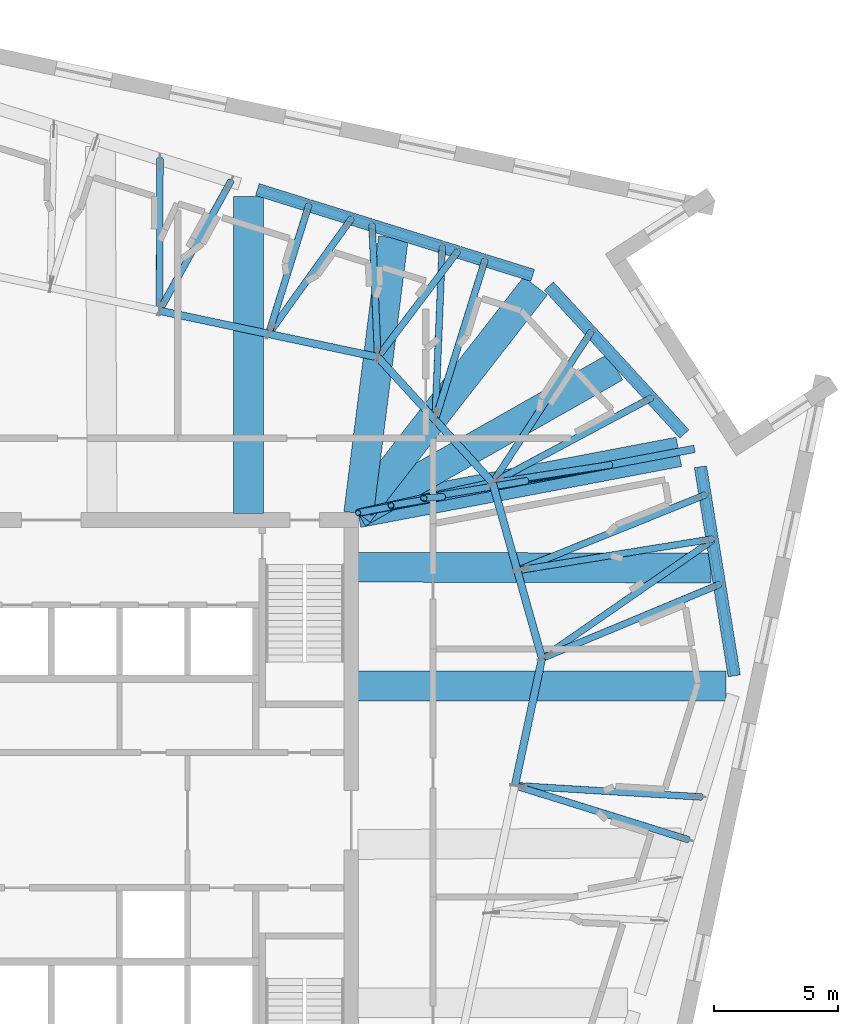
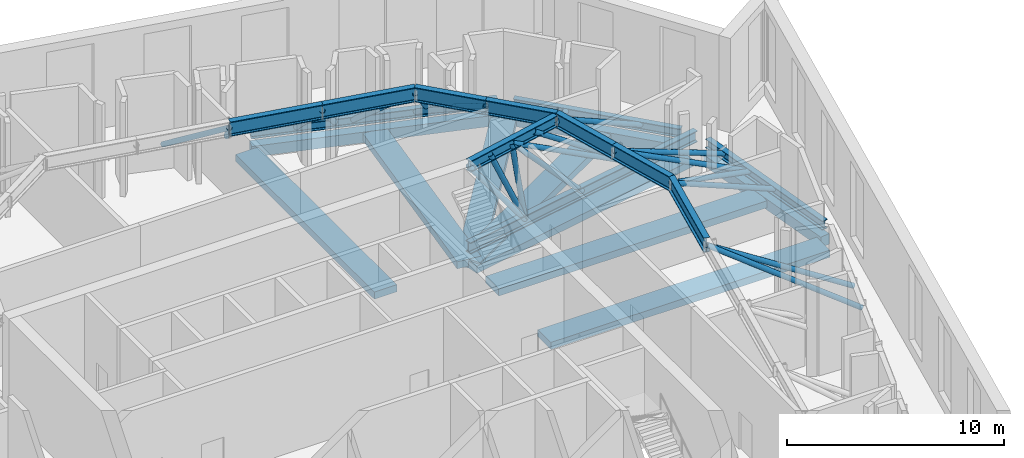
# One storey, part 4 of 19: 23 members, 22 beams.
"""IFC4 building model written with IfcOpenShell, lengths in metres."""

from ifc_helpers import new_model, si_unit, direction, frame, origin, origin_2d, place, context, subcontext, project, spatial, rectangle, hollow_circle, i_section, extrude, material, material_profile, profile_set, type_object, element, save


model = new_model("IFC4")

# Units and contexts
model_context = context("Model", 3, precision=1e-05, world=origin(), true_north=direction((0.0, 1.0)))
body_context = subcontext(model_context, "Body", "Model", "MODEL_VIEW")
ifc_project = project(units=[si_unit("LENGTHUNIT", "METRE"), si_unit("AREAUNIT", "SQUARE_METRE"), si_unit("VOLUMEUNIT", "CUBIC_METRE"), si_unit("PLANEANGLEUNIT", "RADIAN"), si_unit("MASSUNIT", "GRAM", prefix="KILO")], contexts=[model_context])

# Site, building, storey
site_placement = place(None, origin())
site = spatial("IfcSite", under=ifc_project, at=site_placement, CompositionType="ELEMENT")
building_placement = place(site_placement, origin())
building = spatial("IfcBuilding", under=site, at=building_placement, Name="Dilmun Exchange Tower", CompositionType="ELEMENT")
storey_placement = place(building_placement, frame((0.0, 0.0, 344.5)))
storey = spatial("IfcBuildingStorey", under=building, at=storey_placement, Name="L82", CompositionType="ELEMENT", Elevation=344.5)

# Beams
ifc_material_1 = material(Name="Concrete C40/50", Category="concrete")
ifc_material_profile_1 = material_profile(ifc_material_1, rectangle(XDim=1.199951171875, YDim=0.39990234375, at=origin_2d()), Name="1200 x 400")
ifc_profile_set_1 = profile_set([ifc_material_profile_1], Name="Concrete C40/50")
beam_type_1 = type_object("IfcBeamType", Name="RC band beam 1200 x 400 C40/50", PredefinedType="BEAM", material=ifc_profile_set_1)
beam_1_placement = place(storey_placement, frame((27.216064453125, 5.406005859375, -0.64990234375), z_axis=(-1.0, 0.0, 0.0), x_axis=(0.0, -1.0, 0.0)))
element("IfcBeam", 1, at=beam_1_placement, inside=storey, type_object=beam_type_1, Name="Band beam 12", PredefinedType="BEAM", context=body_context, shape_type="SweptSolid", body=[
    extrude(rectangle(XDim=1.199951171875, YDim=0.39990234375, at=origin_2d()), origin(), (0.0, 0.0, 1.0), 14.843017578125),
])
beam_2_placement = place(storey_placement, frame((25.30712890625, 14.85205078125, -0.64990234375), z_axis=(-0.982429348436, -0.18663487169, 0.0), x_axis=(0.18663487169, -0.982429348436, 0.0)))
element("IfcBeam", 2, at=beam_2_placement, inside=storey, type_object=beam_type_1, Name="Band beam 13", PredefinedType="BEAM", context=body_context, shape_type="SweptSolid", body=[
    extrude(rectangle(XDim=1.199951171875, YDim=0.39990234375, at=origin_2d()), origin(), (0.0, 0.0, 1.0), 13.164794921875),
])
beam_3_placement = place(storey_placement, frame((19.52685546875, 21.541259765625, -0.64990234375), z_axis=(-0.614856714099, -0.788638840743, 0.0), x_axis=(0.788638840743, -0.614856714099, 0.0)))
element("IfcBeam", 3, at=beam_3_placement, inside=storey, type_object=beam_type_1, Name="Band beam 14", PredefinedType="BEAM", context=body_context, shape_type="SweptSolid", body=[
    extrude(rectangle(XDim=1.199951171875, YDim=0.39990234375, at=origin_2d()), origin(), (0.0, 0.0, 1.0), 11.6181640625),
])
beam_4_placement = place(storey_placement, frame((7.9580078125, 25.14697265625, -0.64990234375), z_axis=(0.0, -1.0, 0.0), x_axis=(1.0, 0.0, 0.0)))
element("IfcBeam", 4, at=beam_4_placement, inside=storey, type_object=beam_type_1, Name="Band beam 15", PredefinedType="BEAM", context=body_context, shape_type="SweptSolid", body=[
    extrude(rectangle(XDim=1.199951171875, YDim=0.39990234375, at=origin_2d()), origin(), (0.0, 0.0, 1.0), 12.77392578125),
])
beam_5_placement = place(storey_placement, frame((26.614013671875, 10.1650390625, -0.550048828125), z_axis=(-0.999996910379, 0.002485806038, 0.0), x_axis=(-0.002485806038, -0.999996910379, 0.0)))
element("IfcBeam", 5, at=beam_5_placement, inside=storey, type_object=beam_type_1, Name="Band beam 28", PredefinedType="BEAM", context=body_context, shape_type="SweptSolid", body=[
    extrude(rectangle(XDim=1.199951171875, YDim=0.39990234375, at=origin_2d()), origin(), (0.0, 0.0, 1.0), 14.240966796875),
])
beam_6_placement = place(storey_placement, frame((22.752197265625, 18.275390625, -0.550048828125), z_axis=(-0.869690188955, -0.493597989496, 0.0), x_axis=(0.493597989496, -0.869690188955, 0.0)))
element("IfcBeam", 6, at=beam_6_placement, inside=storey, type_object=beam_type_1, Name="Band beam 29", PredefinedType="BEAM", context=body_context, shape_type="SweptSolid", body=[
    extrude(rectangle(XDim=1.199951171875, YDim=0.39990234375, at=origin_2d()), origin(), (0.0, 0.0, 1.0), 11.93017578125),
])
beam_7_placement = place(storey_placement, frame((13.79931640625, 23.485107421875, -0.550048828125), z_axis=(-0.125252659456, -0.992124876867, 0.0), x_axis=(0.992124876867, -0.125252659456, 0.0)))
element("IfcBeam", 7, at=beam_7_placement, inside=storey, type_object=beam_type_1, Name="Band beam 30", PredefinedType="BEAM", context=body_context, shape_type="SweptSolid", body=[
    extrude(rectangle(XDim=1.199951171875, YDim=0.39990234375, at=origin_2d()), origin(), (0.0, 0.0, 1.0), 11.199951171875),
])
ifc_material_profile_2 = material_profile(ifc_material_1, rectangle(XDim=0.5, YDim=0.60009765625, at=origin_2d()), Name="500 x 600")
ifc_profile_set_2 = profile_set([ifc_material_profile_2], Name="Concrete C40/50")
beam_type_2 = type_object("IfcBeamType", Name="RC ring beam 500 x 600 C40/50", PredefinedType="SPANDREL", material=ifc_profile_set_2)
beam_8_placement = place(storey_placement, frame((27.541015625, 5.820556640625, -0.64990234375), z_axis=(-0.159356501233, 0.987221102649, 0.0), x_axis=(-0.987221102649, -0.159356501233, 0.0)))
element("IfcBeam", 8, at=beam_8_placement, inside=storey, type_object=beam_type_2, Name="Ring beam 12", PredefinedType="SPANDREL", context=body_context, shape_type="SweptSolid", body=[
    extrude(rectangle(XDim=0.5, YDim=0.60009765625, at=origin_2d()), origin(), (0.0, 0.0, 1.0), 8.5380859375),
])
beam_9_placement = place(storey_placement, frame((25.531005859375, 15.572265625, -0.64990234375), z_axis=(-0.675535971399, 0.737327031476, 0.0), x_axis=(-0.737327031476, -0.675535971399, 0.0)))
element("IfcBeam", 9, at=beam_9_placement, inside=storey, type_object=beam_type_2, Name="Ring beam 13", PredefinedType="SPANDREL", context=body_context, shape_type="SweptSolid", body=[
    extrude(rectangle(XDim=0.5, YDim=0.60009765625, at=origin_2d()), origin(), (0.0, 0.0, 1.0), 8.087890625),
])
beam_10_placement = place(storey_placement, frame((19.4169921875, 21.968017578125, -0.64990234375), z_axis=(-0.95471613385, 0.297518241065, 0.0), x_axis=(-0.297518241065, -0.95471613385, 0.0)))
element("IfcBeam", 10, at=beam_10_placement, inside=storey, type_object=beam_type_2, Name="Ring beam 14", PredefinedType="SPANDREL", context=body_context, shape_type="SweptSolid", body=[
    extrude(rectangle(XDim=0.5, YDim=0.60009765625, at=origin_2d()), origin(), (0.0, 0.0, 1.0), 11.62939453125),
])
ifc_material_2 = material(Name="Steel S355", Category="steel")
ifc_material_profile_3 = material_profile(ifc_material_2, i_section(OverallWidth=0.300048828125, OverallDepth=0.5, WebThickness=0.014404296875, FlangeThickness=0.028076171875, FilletRadius=0.027099609375, at=origin_2d()), Name="HEB 500")
ifc_profile_set_3 = profile_set([ifc_material_profile_3], Name="Steel S355")
beam_type_3 = type_object("IfcBeamType", Name="belt bottom chord HEB 500", PredefinedType="BEAM", material=ifc_profile_set_3)
beam_11_placement = place(storey_placement, frame((27.541015625, 5.820556640625, 0.25), z_axis=(-0.159356501233, 0.987221102649, 0.0), x_axis=(-0.987221102649, -0.159356501233, 0.0)))
element("IfcBeam", 11, at=beam_11_placement, inside=storey, type_object=beam_type_3, Name="Belt bottom chord 12", PredefinedType="BEAM", context=body_context, shape_type="SweptSolid", body=[
    extrude(i_section(OverallWidth=0.300048828125, OverallDepth=0.5, WebThickness=0.014404296875, FlangeThickness=0.028076171875, FilletRadius=0.027099609375, at=origin_2d()), origin(), (0.0, 0.0, 1.0), 8.5380859375),
])
beam_12_placement = place(storey_placement, frame((25.531005859375, 15.572265625, 0.25), z_axis=(-0.675535971399, 0.737327031476, 0.0), x_axis=(-0.737327031476, -0.675535971399, 0.0)))
element("IfcBeam", 12, at=beam_12_placement, inside=storey, type_object=beam_type_3, Name="Belt bottom chord 13", PredefinedType="BEAM", context=body_context, shape_type="SweptSolid", body=[
    extrude(i_section(OverallWidth=0.300048828125, OverallDepth=0.5, WebThickness=0.014404296875, FlangeThickness=0.028076171875, FilletRadius=0.027099609375, at=origin_2d()), origin(), (0.0, 0.0, 1.0), 8.087890625),
])
beam_13_placement = place(storey_placement, frame((19.4169921875, 21.968017578125, 0.25), z_axis=(-0.95471613385, 0.297518241065, 0.0), x_axis=(-0.297518241065, -0.95471613385, 0.0)))
element("IfcBeam", 13, at=beam_13_placement, inside=storey, type_object=beam_type_3, Name="Belt bottom chord 14", PredefinedType="BEAM", context=body_context, shape_type="SweptSolid", body=[
    extrude(i_section(OverallWidth=0.300048828125, OverallDepth=0.5, WebThickness=0.014404296875, FlangeThickness=0.028076171875, FilletRadius=0.027099609375, at=origin_2d()), origin(), (0.0, 0.0, 1.0), 11.62939453125),
])
ifc_material_profile_4 = material_profile(ifc_material_2, i_section(OverallWidth=0.304931640625, OverallDepth=0.6201171875, WebThickness=0.02099609375, FlangeThickness=0.0400390625, FilletRadius=0.027099609375, at=origin_2d()), Name="HEM 600")
ifc_profile_set_4 = profile_set([ifc_material_profile_4], Name="Steel S355")
beam_type_4 = type_object("IfcBeamType", Name="outrigger chord HEM 600", PredefinedType="BEAM", material=ifc_profile_set_4)
beam_14_placement = place(storey_placement, frame((12.37353515625, 12.39501953125, 0.31005859375), z_axis=(0.982432070287, 0.186620543541, 0.0), x_axis=(-0.186620543541, 0.982432070287, 0.0)))
element("IfcBeam", 14, at=beam_14_placement, inside=storey, type_object=beam_type_4, Name="Outrigger bottom chord 4", PredefinedType="BEAM", context=body_context, shape_type="SweptSolid", body=[
    extrude(i_section(OverallWidth=0.304931640625, OverallDepth=0.6201171875, WebThickness=0.02099609375, FlangeThickness=0.0400390625, FilletRadius=0.027099609375, at=origin_2d()), origin(), (0.0, 0.0, 1.0), 13.808349609375),
])
beam_15_placement = place(storey_placement, frame((12.373779296875, 12.39404296875, 4.889892578125), z_axis=(0.97589758172, 0.21822903105, 0.0), x_axis=(-0.21822903105, 0.97589758172, 0.0)))
element("IfcBeam", 15, at=beam_15_placement, inside=storey, type_object=beam_type_4, Name="Outrigger top chord 4", PredefinedType="BEAM", context=body_context, shape_type="SweptSolid", body=[
    extrude(i_section(OverallWidth=0.304931640625, OverallDepth=0.6201171875, WebThickness=0.02099609375, FlangeThickness=0.0400390625, FilletRadius=0.027099609375, at=origin_2d()), origin(), (0.0, 0.0, 1.0), 5.43359375),
])

# Members
ifc_material_profile_5 = material_profile(ifc_material_2, hollow_circle(Radius=0.136474609375, WallThickness=0.01611328125, at=origin_2d()), Name="CHS 273x16")
ifc_profile_set_5 = profile_set([ifc_material_profile_5], Name="Steel S355")
member_type_1 = type_object("IfcMemberType", Name="outrigger post CHS 273x16", PredefinedType="POST", material=ifc_profile_set_5)
member_1_placement = place(storey_placement, frame((13.699462890625, 12.6904296875, 4.889892578125), z_axis=(0.410122483076, 0.069274826042, -0.909395704494), x_axis=(-0.166553237626, 0.98603246348, 0.0)))
element("IfcMember", 16, at=member_1_placement, inside=storey, type_object=member_type_1, Name="Outrigger post 4.1", PredefinedType="POST", context=body_context, shape_type="SweptSolid", body=[
    extrude(hollow_circle(Radius=0.136474609375, WallThickness=0.01611328125, at=origin_2d()), origin(), (0.0, 0.0, 1.0), 5.0361328125),
])
member_2_placement = place(storey_placement, frame((15.025146484375, 12.987060546875, 4.889892578125), z_axis=(0.665562451159, 0.112218525687, -0.737857456491), x_axis=(-0.166260364541, 0.98608188868, 0.0)))
element("IfcMember", 17, at=member_2_placement, inside=storey, type_object=member_type_1, Name="Outrigger post 4.2", PredefinedType="POST", context=body_context, shape_type="SweptSolid", body=[
    extrude(hollow_circle(Radius=0.136474609375, WallThickness=0.01611328125, at=origin_2d()), origin(), (0.0, 0.0, 1.0), 6.20703125),
])
member_3_placement = place(storey_placement, frame((16.350830078125, 13.283447265625, 4.889892578125), z_axis=(0.796913340071, 0.134315470366, -0.58897239565), x_axis=(-0.166200515367, 0.986091977805, 0.0)))
element("IfcMember", 18, at=member_3_placement, inside=storey, type_object=member_type_1, Name="Outrigger post 4.3", PredefinedType="POST", context=body_context, shape_type="SweptSolid", body=[
    extrude(hollow_circle(Radius=0.136474609375, WallThickness=0.01611328125, at=origin_2d()), origin(), (0.0, 0.0, 1.0), 7.77587890625),
])

# Beams
ifc_material_profile_6 = material_profile(ifc_material_2, i_section(OverallWidth=0.302978515625, OverallDepth=0.81396484375, WebThickness=0.02099609375, FlangeThickness=0.0400390625, FilletRadius=0.030029296875, at=origin_2d()), Name="HEM 800")
ifc_profile_set_6 = profile_set([ifc_material_profile_6], Name="Steel S355")
beam_type_5 = type_object("IfcBeamType", Name="transfer chord HEM 800", PredefinedType="BEAM", material=ifc_profile_set_6)
beam_16_placement = place(storey_placement, frame((18.698486328125, 1.39306640625, 4.89306640625), z_axis=(0.207924943103, 0.97814478378, 0.0), x_axis=(-0.97814478378, 0.207924943103, 0.0)))
element("IfcBeam", 19, at=beam_16_placement, inside=storey, type_object=beam_type_5, Name="Transfer chord 22", PredefinedType="BEAM", context=body_context, shape_type="SweptSolid", body=[
    extrude(i_section(OverallWidth=0.302978515625, OverallDepth=0.81396484375, WebThickness=0.02099609375, FlangeThickness=0.0400390625, FilletRadius=0.030029296875, at=origin_2d()), origin(), (0.0, 0.0, 1.0), 5.249755859375),
])
beam_17_placement = place(storey_placement, frame((19.7900390625, 6.528076171875, 4.89306640625), z_axis=(-0.27091286531, 0.962603874608, 0.0), x_axis=(-0.962603874608, -0.27091286531, 0.0)))
element("IfcBeam", 20, at=beam_17_placement, inside=storey, type_object=beam_type_5, Name="Transfer chord 23", PredefinedType="BEAM", context=body_context, shape_type="SweptSolid", body=[
    extrude(i_section(OverallWidth=0.302978515625, OverallDepth=0.81396484375, WebThickness=0.02099609375, FlangeThickness=0.0400390625, FilletRadius=0.030029296875, at=origin_2d()), origin(), (0.0, 0.0, 1.0), 3.6767578125),
])
beam_18_placement = place(storey_placement, frame((18.7939453125, 10.0673828125, 4.89306640625), z_axis=(-0.270834025208, 0.962626059688, 0.0), x_axis=(-0.962626059688, -0.270834025208, 0.0)))
element("IfcBeam", 21, at=beam_18_placement, inside=storey, type_object=beam_type_5, Name="Transfer chord 24", PredefinedType="BEAM", context=body_context, shape_type="SweptSolid", body=[
    extrude(i_section(OverallWidth=0.302978515625, OverallDepth=0.81396484375, WebThickness=0.02099609375, FlangeThickness=0.0400390625, FilletRadius=0.030029296875, at=origin_2d()), origin(), (0.0, 0.0, 1.0), 3.677001953125),
])
beam_19_placement = place(storey_placement, frame((17.798095703125, 13.60693359375, 4.89306640625), z_axis=(-0.674799105292, 0.738001468492, 0.0), x_axis=(-0.738001468492, -0.674799105292, 0.0)))
element("IfcBeam", 22, at=beam_19_placement, inside=storey, type_object=beam_type_5, Name="Transfer chord 25", PredefinedType="BEAM", context=body_context, shape_type="SweptSolid", body=[
    extrude(i_section(OverallWidth=0.302978515625, OverallDepth=0.81396484375, WebThickness=0.02099609375, FlangeThickness=0.0400390625, FilletRadius=0.030029296875, at=origin_2d()), origin(), (0.0, 0.0, 1.0), 3.43017578125),
])
beam_20_placement = place(storey_placement, frame((15.4833984375, 16.138427734375, 4.89306640625), z_axis=(-0.674760337944, 0.738036913939, 0.0), x_axis=(-0.738036913939, -0.674760337944, 0.0)))
element("IfcBeam", 23, at=beam_20_placement, inside=storey, type_object=beam_type_5, Name="Transfer chord 26", PredefinedType="BEAM", context=body_context, shape_type="SweptSolid", body=[
    extrude(i_section(OverallWidth=0.302978515625, OverallDepth=0.81396484375, WebThickness=0.02099609375, FlangeThickness=0.0400390625, FilletRadius=0.030029296875, at=origin_2d()), origin(), (0.0, 0.0, 1.0), 3.429931640625),
])
beam_21_placement = place(storey_placement, frame((13.1689453125, 18.669921875, 4.89306640625), z_axis=(-0.978147266328, 0.207913264065, 0.0), x_axis=(-0.207913264065, -0.978147266328, 0.0)))
element("IfcBeam", 24, at=beam_21_placement, inside=storey, type_object=beam_type_5, Name="Transfer chord 27", PredefinedType="BEAM", context=body_context, shape_type="SweptSolid", body=[
    extrude(i_section(OverallWidth=0.302978515625, OverallDepth=0.81396484375, WebThickness=0.02099609375, FlangeThickness=0.0400390625, FilletRadius=0.030029296875, at=origin_2d()), origin(), (0.0, 0.0, 1.0), 4.499755859375),
])
beam_22_placement = place(storey_placement, frame((8.767578125, 19.60546875, 4.89306640625), z_axis=(-0.978149611564, 0.20790223038, 0.0), x_axis=(-0.20790223038, -0.978149611564, 0.0)))
element("IfcBeam", 25, at=beam_22_placement, inside=storey, type_object=beam_type_5, Name="Transfer chord 28", PredefinedType="BEAM", context=body_context, shape_type="SweptSolid", body=[
    extrude(i_section(OverallWidth=0.302978515625, OverallDepth=0.81396484375, WebThickness=0.02099609375, FlangeThickness=0.0400390625, FilletRadius=0.030029296875, at=origin_2d()), origin(), (0.0, 0.0, 1.0), 4.5),
])

# Members
ifc_material_profile_7 = material_profile(ifc_material_2, hollow_circle(Radius=0.136474609375, WallThickness=0.01611328125, at=origin_2d()), Name="CHS 273x16")
ifc_profile_set_7 = profile_set([ifc_material_profile_7], Name="Steel S355")
member_type_2 = type_object("IfcMemberType", Name="truss diagonal CHS 273x16", PredefinedType="BRACE", material=ifc_profile_set_7)
member_4_placement = place(storey_placement, frame((18.698486328125, 1.39306640625, 4.89306640625), z_axis=(0.805968182599, -0.251162177833, -0.536034373025), x_axis=(0.297516372053, 0.954716716288, 0.0)))
element("IfcMember", 26, at=member_4_placement, inside=storey, type_object=member_type_2, Name="Truss diagonal 43", PredefinedType="BRACE", context=body_context, shape_type="SweptSolid", body=[
    extrude(hollow_circle(Radius=0.136474609375, WallThickness=0.01611328125, at=origin_2d()), origin(), (0.0, 0.0, 1.0), 8.661865234375),
])
member_5_placement = place(storey_placement, frame((18.698486328125, 1.39306640625, 4.89306640625), z_axis=(0.849638705296, -0.051660505922, -0.524828793599), x_axis=(0.060690826914, 0.998156612726, 0.0)))
element("IfcMember", 27, at=member_5_placement, inside=storey, type_object=member_type_2, Name="Truss diagonal 44", PredefinedType="BRACE", context=body_context, shape_type="SweptSolid", body=[
    extrude(hollow_circle(Radius=0.136474609375, WallThickness=0.01611328125, at=origin_2d()), origin(), (0.0, 0.0, 1.0), 8.846923828125),
])
member_6_placement = place(storey_placement, frame((19.7900390625, 6.528076171875, 4.89306640625), z_axis=(0.79199857564, 0.329650391417, -0.513876323275), x_axis=(-0.38426869934, 0.923221298881, 0.0)))
element("IfcMember", 28, at=member_6_placement, inside=storey, type_object=member_type_2, Name="Truss diagonal 45", PredefinedType="BRACE", context=body_context, shape_type="SweptSolid", body=[
    extrude(hollow_circle(Radius=0.136474609375, WallThickness=0.01611328125, at=origin_2d()), origin(), (0.0, 0.0, 1.0), 9.035400390625),
])
member_7_placement = place(storey_placement, frame((19.7900390625, 6.528076171875, 4.89306640625), z_axis=(0.71867440006, 0.497524167059, -0.48577444343), x_axis=(-0.569194783062, 0.822202711584, 0.0)))
element("IfcMember", 29, at=member_7_placement, inside=storey, type_object=member_type_2, Name="Truss diagonal 46", PredefinedType="BRACE", context=body_context, shape_type="SweptSolid", body=[
    extrude(hollow_circle(Radius=0.136474609375, WallThickness=0.01611328125, at=origin_2d()), origin(), (0.0, 0.0, 1.0), 9.55810546875),
])
member_8_placement = place(storey_placement, frame((18.7939453125, 10.0673828125, 4.89306640625), z_axis=(0.852708237542, 0.137653251733, -0.50392483955), x_axis=(-0.159367466298, 0.987219332613, 0.0)))
element("IfcMember", 30, at=member_8_placement, inside=storey, type_object=member_type_2, Name="Truss diagonal 47", PredefinedType="BRACE", context=body_context, shape_type="SweptSolid", body=[
    extrude(hollow_circle(Radius=0.136474609375, WallThickness=0.01611328125, at=origin_2d()), origin(), (0.0, 0.0, 1.0), 9.2138671875),
])
member_9_placement = place(storey_placement, frame((18.7939453125, 10.0673828125, 4.89306640625), z_axis=(0.806328509726, 0.324393402255, -0.494573811455), x_axis=(-0.373236800674, 0.927736110445, 0.0)))
element("IfcMember", 31, at=member_9_placement, inside=storey, type_object=member_type_2, Name="Truss diagonal 48", PredefinedType="BRACE", context=body_context, shape_type="SweptSolid", body=[
    extrude(hollow_circle(Radius=0.136474609375, WallThickness=0.01611328125, at=origin_2d()), origin(), (0.0, 0.0, 1.0), 9.387939453125),
])
member_10_placement = place(storey_placement, frame((17.798095703125, 13.60693359375, 4.89306640625), z_axis=(0.460476484244, 0.705310085142, -0.538979676105), x_axis=(-0.837343427491, 0.546677221436, 0.0)))
element("IfcMember", 32, at=member_10_placement, inside=storey, type_object=member_type_2, Name="Truss diagonal 49", PredefinedType="BRACE", context=body_context, shape_type="SweptSolid", body=[
    extrude(hollow_circle(Radius=0.136474609375, WallThickness=0.01611328125, at=origin_2d()), origin(), (0.0, 0.0, 1.0), 8.614501953125),
])
member_11_placement = place(storey_placement, frame((17.798095703125, 13.60693359375, 4.89306640625), z_axis=(0.742797395206, 0.397188305754, -0.538974470127), x_axis=(-0.471539694424, 0.881844837022, 0.0)))
element("IfcMember", 33, at=member_11_placement, inside=storey, type_object=member_type_2, Name="Truss diagonal 50", PredefinedType="BRACE", context=body_context, shape_type="SweptSolid", body=[
    extrude(hollow_circle(Radius=0.136474609375, WallThickness=0.01611328125, at=origin_2d()), origin(), (0.0, 0.0, 1.0), 8.61474609375),
])
member_12_placement = place(storey_placement, frame((15.4833984375, 16.138427734375, 4.89306640625), z_axis=(0.244977376502, 0.786052393355, -0.567545346121), x_axis=(-0.954709293768, 0.297540189542, 0.0)))
element("IfcMember", 34, at=member_12_placement, inside=storey, type_object=member_type_2, Name="Truss diagonal 51", PredefinedType="BRACE", context=body_context, shape_type="SweptSolid", body=[
    extrude(hollow_circle(Radius=0.136474609375, WallThickness=0.01611328125, at=origin_2d()), origin(), (0.0, 0.0, 1.0), 8.180908203125),
])
member_13_placement = place(storey_placement, frame((15.4833984375, 16.138427734375, 4.89306640625), z_axis=(0.034099885264, 0.83162916763, -0.554283434149), x_axis=(-0.999160406245, 0.040969288404, 0.0)))
element("IfcMember", 35, at=member_13_placement, inside=storey, type_object=member_type_2, Name="Truss diagonal 52", PredefinedType="BRACE", context=body_context, shape_type="SweptSolid", body=[
    extrude(hollow_circle(Radius=0.136474609375, WallThickness=0.01611328125, at=origin_2d()), origin(), (0.0, 0.0, 1.0), 8.376708984375),
])
for number, where, z_axis, x_axis, name in (
    (36, (13.1689453125, 18.669921875, 4.89306640625), (-0.032357636768, 0.752799036599, -0.657454632533), (-0.999077504597, -0.042943448949, 0.0), "Truss diagonal 53"),
    (37, (13.1689453125, 18.669921875, 4.89306640625), (0.45428792858, 0.601142438937, -0.65745741007), (-0.79780896405, 0.602910322421, 0.0), "Truss diagonal 54"),
):
    element("IfcMember", number, at=place(storey_placement, frame(where, z_axis=z_axis, x_axis=x_axis)), inside=storey, type_object=member_type_2, Name=name, PredefinedType="BRACE", context=body_context, shape_type="SweptSolid", body=[
        extrude(hollow_circle(Radius=0.136474609375, WallThickness=0.01611328125, at=origin_2d()), origin(), (0.0, 0.0, 1.0), 7.062255859375),
    ])
member_14_placement = place(storey_placement, frame((8.767578125, 19.60546875, 4.89306640625), z_axis=(0.226025440348, 0.725264688318, -0.650310412184), x_axis=(-0.954711958778, 0.297531638261, 0.0)))
element("IfcMember", 38, at=member_14_placement, inside=storey, type_object=member_type_2, Name="Truss diagonal 55", PredefinedType="BRACE", context=body_context, shape_type="SweptSolid", body=[
    extrude(hollow_circle(Radius=0.136474609375, WallThickness=0.01611328125, at=origin_2d()), origin(), (0.0, 0.0, 1.0), 7.1396484375),
])
member_15_placement = place(storey_placement, frame((8.767578125, 19.60546875, 4.89306640625), z_axis=(0.452526630665, 0.630546522228, -0.63057967922), x_axis=(-0.812429587302, 0.583059315744, 0.0)))
element("IfcMember", 39, at=member_15_placement, inside=storey, type_object=member_type_2, Name="Truss diagonal 56", PredefinedType="BRACE", context=body_context, shape_type="SweptSolid", body=[
    extrude(hollow_circle(Radius=0.136474609375, WallThickness=0.01611328125, at=origin_2d()), origin(), (0.0, 0.0, 1.0), 7.36328125),
])
member_16_placement = place(storey_placement, frame((4.365966796875, 20.541015625, 4.89306640625), z_axis=(0.380631532568, 0.691017483488, -0.614503436873), x_axis=(-0.875909614549, 0.482475229561, 0.0)))
element("IfcMember", 40, at=member_16_placement, inside=storey, type_object=member_type_2, Name="Truss diagonal 57", PredefinedType="BRACE", context=body_context, shape_type="SweptSolid", body=[
    extrude(hollow_circle(Radius=0.136474609375, WallThickness=0.01611328125, at=origin_2d()), origin(), (0.0, 0.0, 1.0), 7.555908203125),
])
member_17_placement = place(storey_placement, frame((4.365966796875, 20.541015625, 4.89306640625), z_axis=(0.002449335314, 0.796256643878, -0.604954012994), x_axis=(-0.999995268953, 0.003076048087, 0.0)))
element("IfcMember", 41, at=member_17_placement, inside=storey, type_object=member_type_2, Name="Truss diagonal 58", PredefinedType="BRACE", context=body_context, shape_type="SweptSolid", body=[
    extrude(hollow_circle(Radius=0.136474609375, WallThickness=0.01611328125, at=origin_2d()), origin(), (0.0, 0.0, 1.0), 7.675048828125),
])
member_18_placement = place(storey_placement, frame((12.373779296875, 12.39404296875, 4.889892578125), z_axis=(0.591295344887, 0.11251213798, -0.798567989542), x_axis=(-0.186926857005, 0.982373834205, 0.0)))
element("IfcMember", 42, at=member_18_placement, inside=storey, type_object=member_type_2, Name="Outrigger diagonal 4.0", PredefinedType="BRACE", context=body_context, shape_type="SweptSolid", body=[
    extrude(hollow_circle(Radius=0.136474609375, WallThickness=0.01611328125, at=origin_2d()), origin(), (0.0, 0.0, 1.0), 5.735107421875),
])
member_19_placement = place(storey_placement, frame((15.025146484375, 12.987060546875, 4.889892578125), z_axis=(0.159445689374, 0.011261180702, -0.987142470948), x_axis=(-0.07045156866, 0.997515201124, 0.0)))
element("IfcMember", 43, at=member_19_placement, inside=storey, type_object=member_type_2, Name="Outrigger diagonal 4.1", PredefinedType="BRACE", context=body_context, shape_type="SweptSolid", body=[
    extrude(hollow_circle(Radius=0.136474609375, WallThickness=0.01611328125, at=origin_2d()), origin(), (0.0, 0.0, 1.0), 4.639404296875),
])
member_20_placement = place(storey_placement, frame((15.025146484375, 12.987060546875, 4.889892578125), z_axis=(0.844420651904, 0.150511431269, -0.514101227089), x_axis=(-0.175476566773, 0.984483608047, 0.0)))
element("IfcMember", 44, at=member_20_placement, inside=storey, type_object=member_type_2, Name="Outrigger diagonal 4.2", PredefinedType="BRACE", context=body_context, shape_type="SweptSolid", body=[
    extrude(hollow_circle(Radius=0.136474609375, WallThickness=0.01611328125, at=origin_2d()), origin(), (0.0, 0.0, 1.0), 8.908447265625),
])
member_21_placement = place(storey_placement, frame((17.676513671875, 13.579833984375, 4.889892578125), z_axis=(0.72403503358, 0.111189020794, -0.680742441606), x_axis=(-0.151789149708, 0.988412896532, 0.0)))
element("IfcMember", 45, at=member_21_placement, inside=storey, type_object=member_type_2, Name="Outrigger diagonal 4.3", PredefinedType="BRACE", context=body_context, shape_type="SweptSolid", body=[
    extrude(hollow_circle(Radius=0.136474609375, WallThickness=0.01611328125, at=origin_2d()), origin(), (0.0, 0.0, 1.0), 6.727783203125),
])

save(model, "model.ifc")
